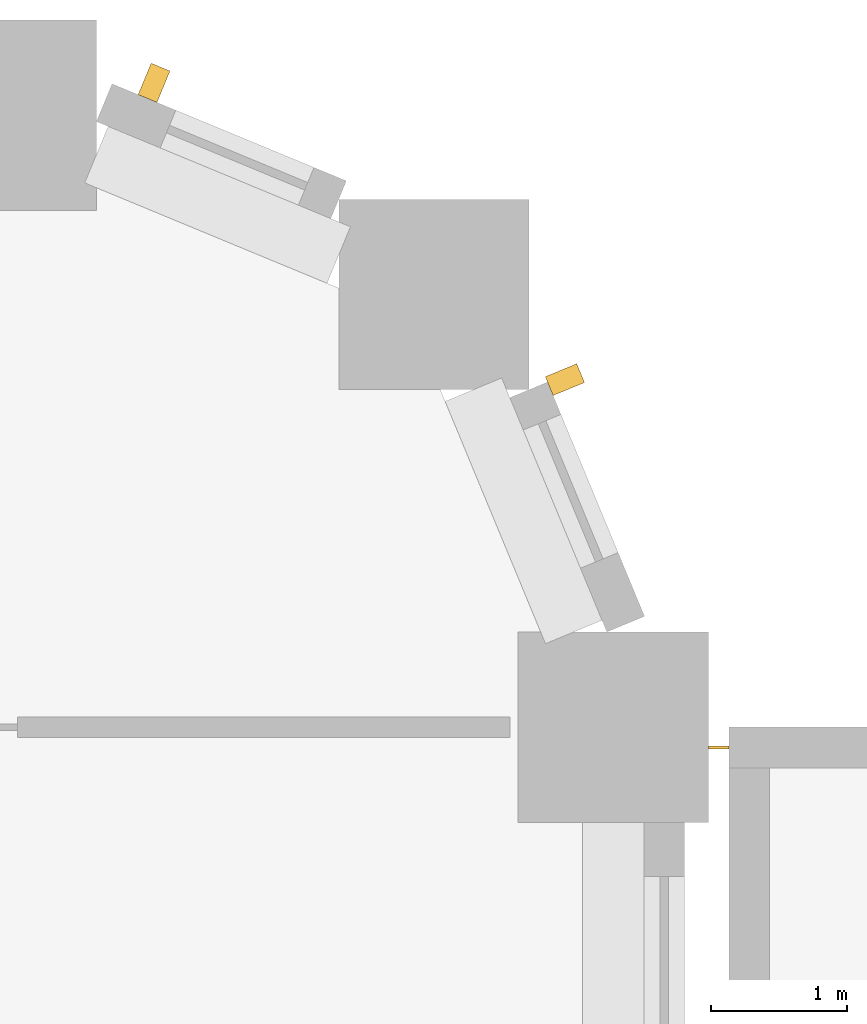
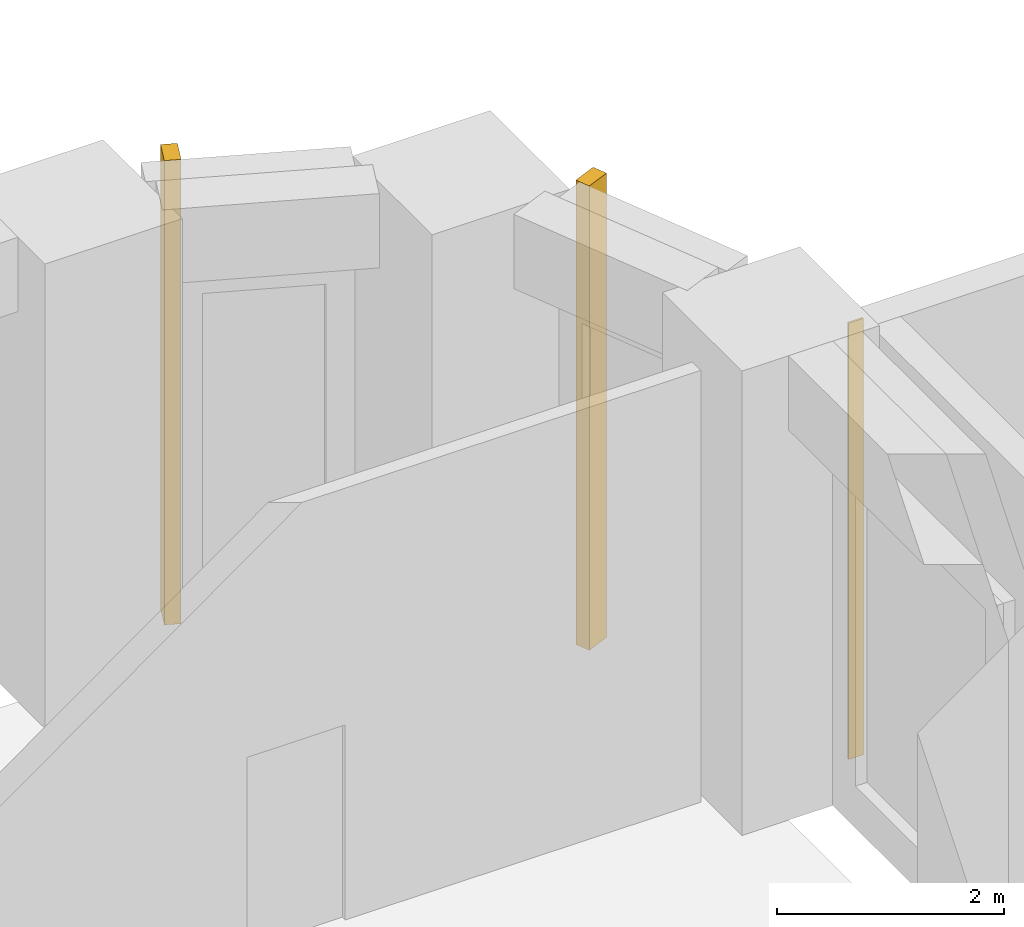
# One storey, part 23 of 25: 2 shading devices, 1 covering.
"""IFC4 building model written with IfcOpenShell, lengths in metres."""

from ifc_helpers import new_model, si_unit, direction, frame, origin, origin_2d, place, context, subcontext, project, spatial, rectangle, extrude, material, layer, layer_set, type_object, element, save


model = new_model("IFC4")

# Units and contexts
model_context = context("Model", 3, precision=1e-05, world=origin(), true_north=direction((0.0, 1.0)))
body_context = subcontext(model_context, "Body", "Model", "MODEL_VIEW")
ifc_project = project(units=[si_unit("LENGTHUNIT", "METRE"), si_unit("AREAUNIT", "SQUARE_METRE"), si_unit("VOLUMEUNIT", "CUBIC_METRE"), si_unit("PLANEANGLEUNIT", "RADIAN"), si_unit("MASSUNIT", "GRAM", prefix="KILO")], contexts=[model_context])

# Site, building, storey
site_placement = place(None, origin())
site = spatial("IfcSite", under=ifc_project, at=site_placement, CompositionType="ELEMENT")
building_placement = place(site_placement, origin())
building = spatial("IfcBuilding", under=site, at=building_placement, Name="Girih Gate Residences", CompositionType="ELEMENT")
storey_placement = place(building_placement, frame((0.0, 0.0, 6.0)))
storey = spatial("IfcBuildingStorey", under=building, at=storey_placement, Name="L01", CompositionType="ELEMENT", Elevation=6.0)

# Shading devices
ifc_material_1 = material(Name="Precast concrete C50/60", Category="concrete")
shading_device_type = type_object("IfcShadingDeviceType", Name="Corner rib 150x250", PredefinedType="USERDEFINED", material=ifc_material_1)
for number, where, z_axis, x_axis, name in (
    (1, (49.14501953125, 47.5556640625, 0.0), (0.0, 0.0, 1.0), (-0.382683432365, 0.923879532511, 0.0), "Corner rib NE0495_0450.0"),
    (2, (46.123779296875, 49.738037109375, 0.0), (0.0, 0.0, 1.0), (-0.923879532511, 0.382683432365, 0.0), "Corner rib NE0482_0482.0"),
):
    element("IfcShadingDevice", number, at=place(storey_placement, frame(where, z_axis=z_axis, x_axis=x_axis)), inside=storey, type_object=shading_device_type, Name=name, ObjectType="FIN", PredefinedType="USERDEFINED", context=body_context, shape_type="SweptSolid", body=[
        extrude(rectangle(XDim=0.14990234375, YDim=0.25, at=origin_2d()), origin(), (0.0, 0.0, 1.0), 5.0),
    ])

# Covering
ifc_material_2 = material(Name="Stainless steel cover plate", Category="steel")
ifc_layer = layer(ifc_material_2, 0.02001953125)
ifc_layer_set = layer_set([ifc_layer], Name="HC Movement joint cover plate")
covering_type = type_object("IfcCoveringType", Name="HC Movement joint cover plate", PredefinedType="CLADDING", material=ifc_layer_set)
covering_placement = place(storey_placement, frame((50.27490234375, 44.85009765625, 0.0), z_axis=(0.0, 0.0, 1.0), x_axis=(1.0, 0.0, 0.0)))
element("IfcCovering", 3, at=covering_placement, inside=storey, type_object=covering_type, Name="L01 joint between tower and health centre cover plate 2", PredefinedType="CLADDING", context=body_context, shape_type="SweptSolid", body=[
    extrude(rectangle(XDim=0.14990234375, YDim=0.02001953125, at=origin_2d()), origin(), (0.0, 0.0, 1.0), 4.699951171875),
])

save(model, "model.ifc")
